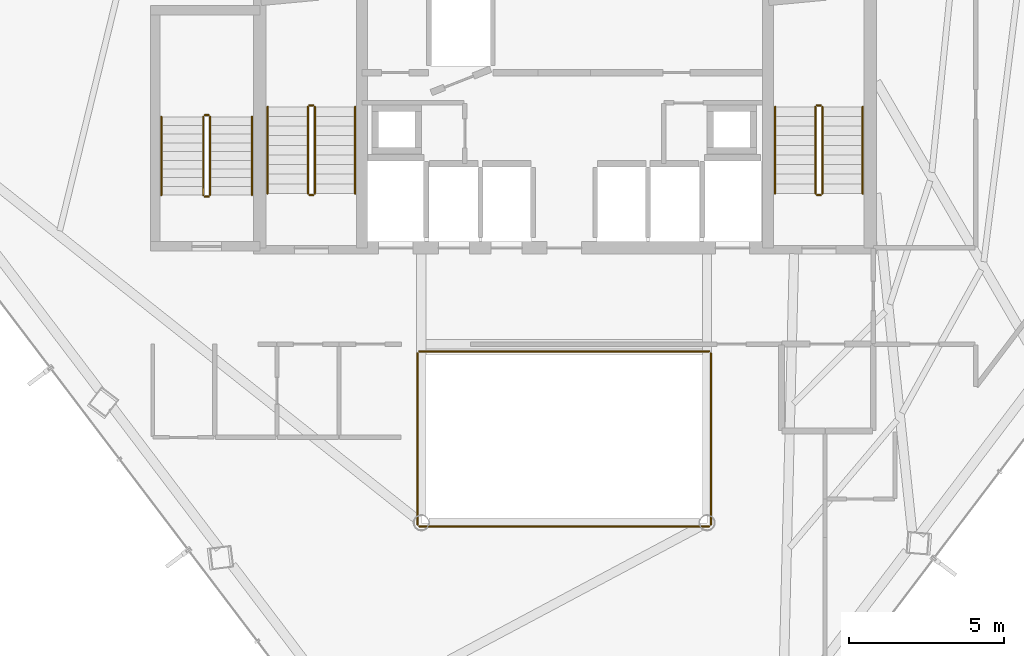
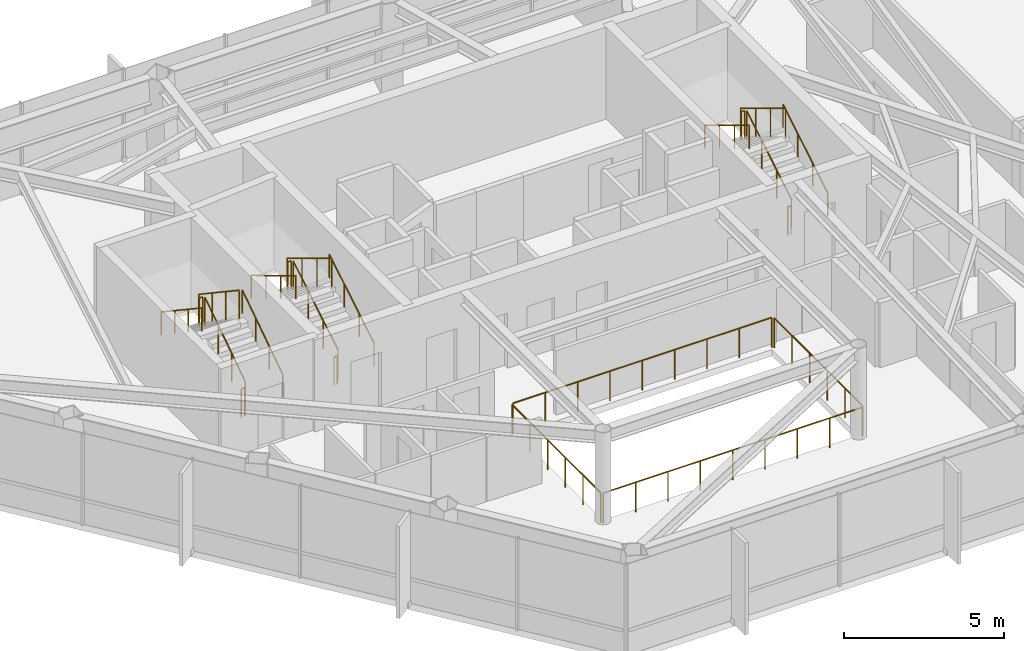
# One storey, part 27 of 27: 22 railings.
"""IFC4 building model written with IfcOpenShell, lengths in metres."""

from ifc_helpers import new_model, si_unit, direction, frame, origin, origin_2d, place, context, subcontext, project, spatial, circle, extrude, material, type_object, element, save


model = new_model("IFC4")

# Units and contexts
model_context = context("Model", 3, precision=1e-05, world=origin(), true_north=direction((0.0, 1.0)))
body_context = subcontext(model_context, "Body", "Model", "MODEL_VIEW")
ifc_project = project(units=[si_unit("LENGTHUNIT", "METRE"), si_unit("AREAUNIT", "SQUARE_METRE"), si_unit("VOLUMEUNIT", "CUBIC_METRE"), si_unit("PLANEANGLEUNIT", "RADIAN"), si_unit("MASSUNIT", "GRAM", prefix="KILO")], contexts=[model_context])

# Site, building, storey
site_placement = place(None, origin())
site = spatial("IfcSite", under=ifc_project, at=site_placement, CompositionType="ELEMENT")
building_placement = place(site_placement, origin())
building = spatial("IfcBuilding", under=site, at=building_placement, Name="Zarrinselat Tower", CompositionType="ELEMENT")
storey_placement = place(building_placement, frame((0.0, 0.0, 172.0400390625)))
storey = spatial("IfcBuildingStorey", under=building, at=storey_placement, Name="L42", CompositionType="ELEMENT", Elevation=172.0400390625)

# Railings
ifc_material_1 = material(Name="Double Low-E Laminated Solar Glass", Category="glass")
railing_type_1 = type_object("IfcRailingType", Name="RLG-ATRIUM-BAL", PredefinedType="BALUSTRADE", material=ifc_material_1)
railing_1_placement = place(storey_placement, frame((33.739990234375, 24.280029296875, 0.0)))
element("IfcRailing", 1, at=railing_1_placement, inside=storey, type_object=railing_type_1, Name="L42 Atrium Void Glass Balustrade S", PredefinedType="BALUSTRADE", context=body_context, shape_type="SweptSolid", body=[
    extrude(circle(Radius=0.02392578125, at=origin_2d()), frame((0.0, 0.0, 1.1259765625), z_axis=(1.0, 0.0, 0.0), x_axis=(0.0, 1.0, 0.0)), (0.0, 0.0, 1.0), 9.320068359375),
    extrude(circle(Radius=0.02099609375, at=origin_2d()), origin(), (0.0, 0.0, 1.0), 1.099853515625),
    extrude(circle(Radius=0.02099609375, at=origin_2d()), frame((1.1650390625, 0.0, 0.0)), (0.0, 0.0, 1.0), 1.099853515625),
    extrude(circle(Radius=0.02099609375, at=origin_2d()), frame((2.330078125, 0.0, 0.0)), (0.0, 0.0, 1.0), 1.099853515625),
    extrude(circle(Radius=0.02099609375, at=origin_2d()), frame((3.4951171875, 0.0, 0.0)), (0.0, 0.0, 1.0), 1.099853515625),
    extrude(circle(Radius=0.02099609375, at=origin_2d()), frame((4.66015625, 0.0, 0.0)), (0.0, 0.0, 1.0), 1.099853515625),
    extrude(circle(Radius=0.02099609375, at=origin_2d()), frame((5.824951171875, 0.0, 0.0)), (0.0, 0.0, 1.0), 1.099853515625),
    extrude(circle(Radius=0.02099609375, at=origin_2d()), frame((6.989990234375, 0.0, 0.0)), (0.0, 0.0, 1.0), 1.099853515625),
    extrude(circle(Radius=0.02099609375, at=origin_2d()), frame((8.155029296875, 0.0, 0.0)), (0.0, 0.0, 1.0), 1.099853515625),
    extrude(circle(Radius=0.02099609375, at=origin_2d()), frame((9.320068359375, 0.0, 0.0)), (0.0, 0.0, 1.0), 1.099853515625),
])
railing_2_placement = place(storey_placement, frame((43.1201171875, 24.340087890625, 0.0)))
element("IfcRailing", 2, at=railing_2_placement, inside=storey, type_object=railing_type_1, Name="L42 Atrium Void Glass Balustrade E", PredefinedType="BALUSTRADE", context=body_context, shape_type="SweptSolid", body=[
    extrude(circle(Radius=0.02392578125, at=origin_2d()), frame((0.0, 0.0, 1.1259765625), z_axis=(0.0, 1.0, 0.0), x_axis=(-1.0, 0.0, 0.0)), (0.0, 0.0, 1.0), 5.52001953125),
    extrude(circle(Radius=0.02099609375, at=origin_2d()), origin(), (0.0, 0.0, 1.0), 1.099853515625),
    extrude(circle(Radius=0.02099609375, at=origin_2d()), frame((0.0, 1.10400390625, 0.0)), (0.0, 0.0, 1.0), 1.099853515625),
    extrude(circle(Radius=0.02099609375, at=origin_2d()), frame((0.0, 2.2080078125, 0.0)), (0.0, 0.0, 1.0), 1.099853515625),
    extrude(circle(Radius=0.02099609375, at=origin_2d()), frame((0.0, 3.31201171875, 0.0)), (0.0, 0.0, 1.0), 1.099853515625),
    extrude(circle(Radius=0.02099609375, at=origin_2d()), frame((0.0, 4.416015625, 0.0)), (0.0, 0.0, 1.0), 1.099853515625),
    extrude(circle(Radius=0.02099609375, at=origin_2d()), frame((0.0, 5.52001953125, 0.0)), (0.0, 0.0, 1.0), 1.099853515625),
])
railing_3_placement = place(storey_placement, frame((43.06005859375, 29.919921875, 0.0)))
element("IfcRailing", 3, at=railing_3_placement, inside=storey, type_object=railing_type_1, Name="L42 Atrium Void Glass Balustrade N", PredefinedType="BALUSTRADE", context=body_context, shape_type="SweptSolid", body=[
    extrude(circle(Radius=0.02392578125, at=origin_2d()), frame((0.0, 0.0, 1.1259765625), z_axis=(-1.0, 0.0, 0.0), x_axis=(0.0, -1.0, 0.0)), (0.0, 0.0, 1.0), 9.320068359375),
    extrude(circle(Radius=0.02099609375, at=origin_2d()), origin(), (0.0, 0.0, 1.0), 1.099853515625),
    extrude(circle(Radius=0.02099609375, at=origin_2d()), frame((-1.1650390625, 0.0, 0.0)), (0.0, 0.0, 1.0), 1.099853515625),
    extrude(circle(Radius=0.02099609375, at=origin_2d()), frame((-2.330078125, 0.0, 0.0)), (0.0, 0.0, 1.0), 1.099853515625),
    extrude(circle(Radius=0.02099609375, at=origin_2d()), frame((-3.4951171875, 0.0, 0.0)), (0.0, 0.0, 1.0), 1.099853515625),
    extrude(circle(Radius=0.02099609375, at=origin_2d()), frame((-4.66015625, 0.0, 0.0)), (0.0, 0.0, 1.0), 1.099853515625),
    extrude(circle(Radius=0.02099609375, at=origin_2d()), frame((-5.824951171875, 0.0, 0.0)), (0.0, 0.0, 1.0), 1.099853515625),
    extrude(circle(Radius=0.02099609375, at=origin_2d()), frame((-6.989990234375, 0.0, 0.0)), (0.0, 0.0, 1.0), 1.099853515625),
    extrude(circle(Radius=0.02099609375, at=origin_2d()), frame((-8.155029296875, 0.0, 0.0)), (0.0, 0.0, 1.0), 1.099853515625),
    extrude(circle(Radius=0.02099609375, at=origin_2d()), frame((-9.320068359375, 0.0, 0.0)), (0.0, 0.0, 1.0), 1.099853515625),
])
railing_4_placement = place(storey_placement, frame((33.679931640625, 29.860107421875, 0.0)))
element("IfcRailing", 4, at=railing_4_placement, inside=storey, type_object=railing_type_1, Name="L42 Atrium Void Glass Balustrade W", PredefinedType="BALUSTRADE", context=body_context, shape_type="SweptSolid", body=[
    extrude(circle(Radius=0.02392578125, at=origin_2d()), frame((0.0, 0.0, 1.1259765625), z_axis=(0.0, -1.0, 0.0), x_axis=(1.0, 0.0, 0.0)), (0.0, 0.0, 1.0), 5.52001953125),
    extrude(circle(Radius=0.02099609375, at=origin_2d()), origin(), (0.0, 0.0, 1.0), 1.099853515625),
    extrude(circle(Radius=0.02099609375, at=origin_2d()), frame((0.0, -1.10400390625, 0.0)), (0.0, 0.0, 1.0), 1.099853515625),
    extrude(circle(Radius=0.02099609375, at=origin_2d()), frame((0.0, -2.2080078125, 0.0)), (0.0, 0.0, 1.0), 1.099853515625),
    extrude(circle(Radius=0.02099609375, at=origin_2d()), frame((0.0, -3.31201171875, 0.0)), (0.0, 0.0, 1.0), 1.099853515625),
    extrude(circle(Radius=0.02099609375, at=origin_2d()), frame((0.0, -4.416015625, 0.0)), (0.0, 0.0, 1.0), 1.099853515625),
    extrude(circle(Radius=0.02099609375, at=origin_2d()), frame((0.0, -5.52001953125, 0.0)), (0.0, 0.0, 1.0), 1.099853515625),
])
ifc_material_2 = material(Name="Steel S355J2", Category="steel")
railing_type_2 = type_object("IfcRailingType", Name="RLG-STAIR-GUARD", PredefinedType="GUARDRAIL", material=ifc_material_2)
railing_5_placement = place(storey_placement, frame((30.3701171875, 35.0, 0.18701171875)))
element("IfcRailing", 5, at=railing_5_placement, inside=storey, type_object=railing_type_2, Name="L42 ST-1 stair guard 1", PredefinedType="GUARDRAIL", context=body_context, shape_type="SweptSolid", body=[
    extrude(circle(Radius=0.02392578125, at=origin_2d()), frame((0.0, 0.0, 1.076171875), z_axis=(0.0, 0.856293938615, 0.516488809842), x_axis=(-1.0, 0.0, 0.0)), (0.0, 0.0, 1.0), 3.25830078125),
    extrude(circle(Radius=0.02099609375, at=origin_2d()), origin(), (0.0, 0.0, 1.0), 1.050048828125),
    extrude(circle(Radius=0.02099609375, at=origin_2d()), frame((0.0, 0.929931640625, 0.56103515625)), (0.0, 0.0, 1.0), 1.050048828125),
    extrude(circle(Radius=0.02099609375, at=origin_2d()), frame((0.0, 1.860107421875, 1.121826171875)), (0.0, 0.0, 1.0), 1.050048828125),
    extrude(circle(Radius=0.02099609375, at=origin_2d()), frame((0.0, 2.7900390625, 1.682861328125)), (0.0, 0.0, 1.0), 1.050048828125),
])
railing_6_placement = place(storey_placement, frame((30.320068359375, 37.840087890625, 1.869873046875)))
element("IfcRailing", 6, at=railing_6_placement, inside=storey, type_object=railing_type_2, Name="L42 ST-1 stair guard 2", PredefinedType="GUARDRAIL", context=body_context, shape_type="SweptSolid", body=[
    extrude(circle(Radius=0.02392578125, at=origin_2d()), frame((0.0, 0.0, 1.076171875), z_axis=(-1.0, 0.0, 0.0), x_axis=(0.0, -1.0, 0.0)), (0.0, 0.0, 1.0), 0.1201171875),
    extrude(circle(Radius=0.02099609375, at=origin_2d()), origin(), (0.0, 0.0, 1.0), 1.050048828125),
    extrude(circle(Radius=0.02099609375, at=origin_2d()), frame((-0.1201171875, 0.0, 0.0)), (0.0, 0.0, 1.0), 1.050048828125),
])
railing_7_placement = place(storey_placement, frame((30.14990234375, 37.7900390625, 2.056884765625)))
element("IfcRailing", 7, at=railing_7_placement, inside=storey, type_object=railing_type_2, Name="L42 ST-1 stair guard 3", PredefinedType="GUARDRAIL", context=body_context, shape_type="SweptSolid", body=[
    extrude(circle(Radius=0.02392578125, at=origin_2d()), frame((0.0, 0.0, 1.076171875), z_axis=(0.0, -0.856260799362, 0.516543747882), x_axis=(1.0, 0.0, 0.0)), (0.0, 0.0, 1.0), 3.25830078125),
    extrude(circle(Radius=0.02099609375, at=origin_2d()), origin(), (0.0, 0.0, 1.0), 1.050048828125),
    extrude(circle(Radius=0.02099609375, at=origin_2d()), frame((0.0, -0.929931640625, 0.56103515625)), (0.0, 0.0, 1.0), 1.050048828125),
    extrude(circle(Radius=0.02099609375, at=origin_2d()), frame((0.0, -1.860107421875, 1.1220703125)), (0.0, 0.0, 1.0), 1.050048828125),
    extrude(circle(Radius=0.02099609375, at=origin_2d()), frame((0.0, -2.7900390625, 1.68310546875)), (0.0, 0.0, 1.0), 1.050048828125),
])
railing_8_placement = place(storey_placement, frame((30.320068359375, 34.949951171875, 0.0)))
element("IfcRailing", 8, at=railing_8_placement, inside=storey, type_object=railing_type_2, Name="L42 ST-1 stair guard 4", PredefinedType="GUARDRAIL", context=body_context, shape_type="SweptSolid", body=[
    extrude(circle(Radius=0.02392578125, at=origin_2d()), frame((0.0, 0.0, 1.076171875), z_axis=(-1.0, 0.0, 0.0), x_axis=(0.0, -1.0, 0.0)), (0.0, 0.0, 1.0), 0.1201171875),
    extrude(circle(Radius=0.02099609375, at=origin_2d()), origin(), (0.0, 0.0, 1.0), 1.050048828125),
    extrude(circle(Radius=0.02099609375, at=origin_2d()), frame((-0.1201171875, 0.0, 0.0)), (0.0, 0.0, 1.0), 1.050048828125),
])
railing_9_placement = place(storey_placement, frame((46.7099609375, 35.0, 0.18701171875)))
element("IfcRailing", 9, at=railing_9_placement, inside=storey, type_object=railing_type_2, Name="L42 ST-2 stair guard 1", PredefinedType="GUARDRAIL", context=body_context, shape_type="SweptSolid", body=[
    extrude(circle(Radius=0.02392578125, at=origin_2d()), frame((0.0, 0.0, 1.076171875), z_axis=(0.0, 0.856293938615, 0.516488809842), x_axis=(-1.0, 0.0, 0.0)), (0.0, 0.0, 1.0), 3.25830078125),
    extrude(circle(Radius=0.02099609375, at=origin_2d()), origin(), (0.0, 0.0, 1.0), 1.050048828125),
    extrude(circle(Radius=0.02099609375, at=origin_2d()), frame((0.0, 0.929931640625, 0.56103515625)), (0.0, 0.0, 1.0), 1.050048828125),
    extrude(circle(Radius=0.02099609375, at=origin_2d()), frame((0.0, 1.860107421875, 1.121826171875)), (0.0, 0.0, 1.0), 1.050048828125),
    extrude(circle(Radius=0.02099609375, at=origin_2d()), frame((0.0, 2.7900390625, 1.682861328125)), (0.0, 0.0, 1.0), 1.050048828125),
])
railing_10_placement = place(storey_placement, frame((46.659912109375, 37.840087890625, 1.869873046875)))
element("IfcRailing", 10, at=railing_10_placement, inside=storey, type_object=railing_type_2, Name="L42 ST-2 stair guard 2", PredefinedType="GUARDRAIL", context=body_context, shape_type="SweptSolid", body=[
    extrude(circle(Radius=0.02392578125, at=origin_2d()), frame((0.0, 0.0, 1.076171875), z_axis=(-1.0, 0.0, 0.0), x_axis=(0.0, -1.0, 0.0)), (0.0, 0.0, 1.0), 0.119873046875),
    extrude(circle(Radius=0.02099609375, at=origin_2d()), origin(), (0.0, 0.0, 1.0), 1.050048828125),
    extrude(circle(Radius=0.02099609375, at=origin_2d()), frame((-0.119873046875, 0.0, 0.0)), (0.0, 0.0, 1.0), 1.050048828125),
])
railing_11_placement = place(storey_placement, frame((46.489990234375, 37.7900390625, 2.056884765625)))
element("IfcRailing", 11, at=railing_11_placement, inside=storey, type_object=railing_type_2, Name="L42 ST-2 stair guard 3", PredefinedType="GUARDRAIL", context=body_context, shape_type="SweptSolid", body=[
    extrude(circle(Radius=0.02392578125, at=origin_2d()), frame((0.0, 0.0, 1.076171875), z_axis=(0.0, -0.856260799362, 0.516543747882), x_axis=(1.0, 0.0, 0.0)), (0.0, 0.0, 1.0), 3.25830078125),
    extrude(circle(Radius=0.02099609375, at=origin_2d()), origin(), (0.0, 0.0, 1.0), 1.050048828125),
    extrude(circle(Radius=0.02099609375, at=origin_2d()), frame((0.0, -0.929931640625, 0.56103515625)), (0.0, 0.0, 1.0), 1.050048828125),
    extrude(circle(Radius=0.02099609375, at=origin_2d()), frame((0.0, -1.860107421875, 1.1220703125)), (0.0, 0.0, 1.0), 1.050048828125),
    extrude(circle(Radius=0.02099609375, at=origin_2d()), frame((0.0, -2.7900390625, 1.68310546875)), (0.0, 0.0, 1.0), 1.050048828125),
])
railing_12_placement = place(storey_placement, frame((46.659912109375, 34.949951171875, 0.0)))
element("IfcRailing", 12, at=railing_12_placement, inside=storey, type_object=railing_type_2, Name="L42 ST-2 stair guard 4", PredefinedType="GUARDRAIL", context=body_context, shape_type="SweptSolid", body=[
    extrude(circle(Radius=0.02392578125, at=origin_2d()), frame((0.0, 0.0, 1.076171875), z_axis=(-1.0, 0.0, 0.0), x_axis=(0.0, -1.0, 0.0)), (0.0, 0.0, 1.0), 0.119873046875),
    extrude(circle(Radius=0.02099609375, at=origin_2d()), origin(), (0.0, 0.0, 1.0), 1.050048828125),
    extrude(circle(Radius=0.02099609375, at=origin_2d()), frame((-0.119873046875, 0.0, 0.0)), (0.0, 0.0, 1.0), 1.050048828125),
])
railing_13_placement = place(storey_placement, frame((27.0, 34.949951171875, 0.18701171875)))
element("IfcRailing", 13, at=railing_13_placement, inside=storey, type_object=railing_type_2, Name="L42 ST-3 stair guard 1", PredefinedType="GUARDRAIL", context=body_context, shape_type="SweptSolid", body=[
    extrude(circle(Radius=0.02392578125, at=origin_2d()), frame((0.0, 0.0, 1.076171875), z_axis=(0.0, 0.831616215664, 0.555350762892), x_axis=(-1.0, 0.0, 0.0)), (0.0, 0.0, 1.0), 3.0302734375),
    extrude(circle(Radius=0.02099609375, at=origin_2d()), origin(), (0.0, 0.0, 1.0), 1.050048828125),
    extrude(circle(Radius=0.02099609375, at=origin_2d()), frame((0.0, 0.840087890625, 0.56103515625)), (0.0, 0.0, 1.0), 1.050048828125),
    extrude(circle(Radius=0.02099609375, at=origin_2d()), frame((0.0, 1.679931640625, 1.121826171875)), (0.0, 0.0, 1.0), 1.050048828125),
    extrude(circle(Radius=0.02099609375, at=origin_2d()), frame((0.0, 2.52001953125, 1.682861328125)), (0.0, 0.0, 1.0), 1.050048828125),
])
railing_14_placement = place(storey_placement, frame((26.949951171875, 37.52001953125, 1.869873046875)))
element("IfcRailing", 14, at=railing_14_placement, inside=storey, type_object=railing_type_2, Name="L42 ST-3 stair guard 2", PredefinedType="GUARDRAIL", context=body_context, shape_type="SweptSolid", body=[
    extrude(circle(Radius=0.02392578125, at=origin_2d()), frame((0.0, 0.0, 1.076171875), z_axis=(-1.0, 0.0, 0.0), x_axis=(0.0, -1.0, 0.0)), (0.0, 0.0, 1.0), 0.119873046875),
    extrude(circle(Radius=0.02099609375, at=origin_2d()), origin(), (0.0, 0.0, 1.0), 1.050048828125),
    extrude(circle(Radius=0.02099609375, at=origin_2d()), frame((-0.119873046875, 0.0, 0.0)), (0.0, 0.0, 1.0), 1.050048828125),
])
railing_15_placement = place(storey_placement, frame((26.780029296875, 37.469970703125, 2.056884765625)))
element("IfcRailing", 15, at=railing_15_placement, inside=storey, type_object=railing_type_2, Name="L42 ST-3 stair guard 3", PredefinedType="GUARDRAIL", context=body_context, shape_type="SweptSolid", body=[
    extrude(circle(Radius=0.02392578125, at=origin_2d()), frame((0.0, 0.0, 1.076171875), z_axis=(0.0, -0.831579006341, 0.555406478368), x_axis=(1.0, 0.0, 0.0)), (0.0, 0.0, 1.0), 3.030517578125),
    extrude(circle(Radius=0.02099609375, at=origin_2d()), origin(), (0.0, 0.0, 1.0), 1.050048828125),
    extrude(circle(Radius=0.02099609375, at=origin_2d()), frame((0.0, -0.840087890625, 0.56103515625)), (0.0, 0.0, 1.0), 1.050048828125),
    extrude(circle(Radius=0.02099609375, at=origin_2d()), frame((0.0, -1.679931640625, 1.1220703125)), (0.0, 0.0, 1.0), 1.050048828125),
    extrude(circle(Radius=0.02099609375, at=origin_2d()), frame((0.0, -2.52001953125, 1.68310546875)), (0.0, 0.0, 1.0), 1.050048828125),
])
railing_16_placement = place(storey_placement, frame((26.949951171875, 34.89990234375, 0.0)))
element("IfcRailing", 16, at=railing_16_placement, inside=storey, type_object=railing_type_2, Name="L42 ST-3 stair guard 4", PredefinedType="GUARDRAIL", context=body_context, shape_type="SweptSolid", body=[
    extrude(circle(Radius=0.02392578125, at=origin_2d()), frame((0.0, 0.0, 1.076171875), z_axis=(-1.0, 0.0, 0.0), x_axis=(0.0, -1.0, 0.0)), (0.0, 0.0, 1.0), 0.119873046875),
    extrude(circle(Radius=0.02099609375, at=origin_2d()), origin(), (0.0, 0.0, 1.0), 1.050048828125),
    extrude(circle(Radius=0.02099609375, at=origin_2d()), frame((-0.119873046875, 0.0, 0.0)), (0.0, 0.0, 1.0), 1.050048828125),
])
ifc_material_3 = material(Name="Steel S355J2", Category="steel")
railing_type_3 = type_object("IfcRailingType", Name="RLG-STAIR-HAND", PredefinedType="HANDRAIL", material=ifc_material_3)
railing_17_placement = place(storey_placement, frame((31.669921875, 35.0, 0.18701171875)))
element("IfcRailing", 17, at=railing_17_placement, inside=storey, type_object=railing_type_3, Name="L42 ST-1 stair handrail 1", PredefinedType="HANDRAIL", context=body_context, shape_type="SweptSolid", body=[
    extrude(circle(Radius=0.02392578125, at=origin_2d()), frame((0.0, 0.0, 0.8759765625), z_axis=(0.0, 0.856293938615, 0.516488809842), x_axis=(-1.0, 0.0, 0.0)), (0.0, 0.0, 1.0), 3.25830078125),
    extrude(circle(Radius=0.02099609375, at=origin_2d()), origin(), (0.0, 0.0, 1.0), 0.849853515625),
    extrude(circle(Radius=0.02099609375, at=origin_2d()), frame((0.0, 0.929931640625, 0.56103515625)), (0.0, 0.0, 1.0), 0.849853515625),
    extrude(circle(Radius=0.02099609375, at=origin_2d()), frame((0.0, 1.860107421875, 1.121826171875)), (0.0, 0.0, 1.0), 0.849853515625),
    extrude(circle(Radius=0.02099609375, at=origin_2d()), frame((0.0, 2.7900390625, 1.682861328125)), (0.0, 0.0, 1.0), 0.849853515625),
])
railing_18_placement = place(storey_placement, frame((28.85009765625, 37.7900390625, 2.056884765625)))
element("IfcRailing", 18, at=railing_18_placement, inside=storey, type_object=railing_type_3, Name="L42 ST-1 stair handrail 2", PredefinedType="HANDRAIL", context=body_context, shape_type="SweptSolid", body=[
    extrude(circle(Radius=0.02392578125, at=origin_2d()), frame((0.0, 0.0, 0.8759765625), z_axis=(0.0, -0.856260799362, 0.516543747882), x_axis=(1.0, 0.0, 0.0)), (0.0, 0.0, 1.0), 3.25830078125),
    extrude(circle(Radius=0.02099609375, at=origin_2d()), origin(), (0.0, 0.0, 1.0), 0.849853515625),
    extrude(circle(Radius=0.02099609375, at=origin_2d()), frame((0.0, -0.929931640625, 0.56103515625)), (0.0, 0.0, 1.0), 0.849853515625),
    extrude(circle(Radius=0.02099609375, at=origin_2d()), frame((0.0, -1.860107421875, 1.1220703125)), (0.0, 0.0, 1.0), 0.849853515625),
    extrude(circle(Radius=0.02099609375, at=origin_2d()), frame((0.0, -2.7900390625, 1.68310546875)), (0.0, 0.0, 1.0), 0.849853515625),
])
railing_19_placement = place(storey_placement, frame((48.010009765625, 35.0, 0.18701171875)))
element("IfcRailing", 19, at=railing_19_placement, inside=storey, type_object=railing_type_3, Name="L42 ST-2 stair handrail 1", PredefinedType="HANDRAIL", context=body_context, shape_type="SweptSolid", body=[
    extrude(circle(Radius=0.02392578125, at=origin_2d()), frame((0.0, 0.0, 0.8759765625), z_axis=(0.0, 0.856293938615, 0.516488809842), x_axis=(-1.0, 0.0, 0.0)), (0.0, 0.0, 1.0), 3.25830078125),
    extrude(circle(Radius=0.02099609375, at=origin_2d()), origin(), (0.0, 0.0, 1.0), 0.849853515625),
    extrude(circle(Radius=0.02099609375, at=origin_2d()), frame((0.0, 0.929931640625, 0.56103515625)), (0.0, 0.0, 1.0), 0.849853515625),
    extrude(circle(Radius=0.02099609375, at=origin_2d()), frame((0.0, 1.860107421875, 1.121826171875)), (0.0, 0.0, 1.0), 0.849853515625),
    extrude(circle(Radius=0.02099609375, at=origin_2d()), frame((0.0, 2.7900390625, 1.682861328125)), (0.0, 0.0, 1.0), 0.849853515625),
])
railing_20_placement = place(storey_placement, frame((45.18994140625, 37.7900390625, 2.056884765625)))
element("IfcRailing", 20, at=railing_20_placement, inside=storey, type_object=railing_type_3, Name="L42 ST-2 stair handrail 2", PredefinedType="HANDRAIL", context=body_context, shape_type="SweptSolid", body=[
    extrude(circle(Radius=0.02392578125, at=origin_2d()), frame((0.0, 0.0, 0.8759765625), z_axis=(0.0, -0.856260799362, 0.516543747882), x_axis=(1.0, 0.0, 0.0)), (0.0, 0.0, 1.0), 3.25830078125),
    extrude(circle(Radius=0.02099609375, at=origin_2d()), origin(), (0.0, 0.0, 1.0), 0.849853515625),
    extrude(circle(Radius=0.02099609375, at=origin_2d()), frame((0.0, -0.929931640625, 0.56103515625)), (0.0, 0.0, 1.0), 0.849853515625),
    extrude(circle(Radius=0.02099609375, at=origin_2d()), frame((0.0, -1.860107421875, 1.1220703125)), (0.0, 0.0, 1.0), 0.849853515625),
    extrude(circle(Radius=0.02099609375, at=origin_2d()), frame((0.0, -2.7900390625, 1.68310546875)), (0.0, 0.0, 1.0), 0.849853515625),
])
railing_21_placement = place(storey_placement, frame((28.35009765625, 34.949951171875, 0.18701171875)))
element("IfcRailing", 21, at=railing_21_placement, inside=storey, type_object=railing_type_3, Name="L42 ST-3 stair handrail 1", PredefinedType="HANDRAIL", context=body_context, shape_type="SweptSolid", body=[
    extrude(circle(Radius=0.02392578125, at=origin_2d()), frame((0.0, 0.0, 0.8759765625), z_axis=(0.0, 0.831616215664, 0.555350762892), x_axis=(-1.0, 0.0, 0.0)), (0.0, 0.0, 1.0), 3.0302734375),
    extrude(circle(Radius=0.02099609375, at=origin_2d()), origin(), (0.0, 0.0, 1.0), 0.849853515625),
    extrude(circle(Radius=0.02099609375, at=origin_2d()), frame((0.0, 0.840087890625, 0.56103515625)), (0.0, 0.0, 1.0), 0.849853515625),
    extrude(circle(Radius=0.02099609375, at=origin_2d()), frame((0.0, 1.679931640625, 1.121826171875)), (0.0, 0.0, 1.0), 0.849853515625),
    extrude(circle(Radius=0.02099609375, at=origin_2d()), frame((0.0, 2.52001953125, 1.682861328125)), (0.0, 0.0, 1.0), 0.849853515625),
])
railing_22_placement = place(storey_placement, frame((25.429931640625, 37.469970703125, 2.056884765625)))
element("IfcRailing", 22, at=railing_22_placement, inside=storey, type_object=railing_type_3, Name="L42 ST-3 stair handrail 2", PredefinedType="HANDRAIL", context=body_context, shape_type="SweptSolid", body=[
    extrude(circle(Radius=0.02392578125, at=origin_2d()), frame((0.0, 0.0, 0.8759765625), z_axis=(0.0, -0.831579006341, 0.555406478368), x_axis=(1.0, 0.0, 0.0)), (0.0, 0.0, 1.0), 3.030517578125),
    extrude(circle(Radius=0.02099609375, at=origin_2d()), origin(), (0.0, 0.0, 1.0), 0.849853515625),
    extrude(circle(Radius=0.02099609375, at=origin_2d()), frame((0.0, -0.840087890625, 0.56103515625)), (0.0, 0.0, 1.0), 0.849853515625),
    extrude(circle(Radius=0.02099609375, at=origin_2d()), frame((0.0, -1.679931640625, 1.1220703125)), (0.0, 0.0, 1.0), 0.849853515625),
    extrude(circle(Radius=0.02099609375, at=origin_2d()), frame((0.0, -2.52001953125, 1.68310546875)), (0.0, 0.0, 1.0), 0.849853515625),
])

save(model, "model.ifc")
